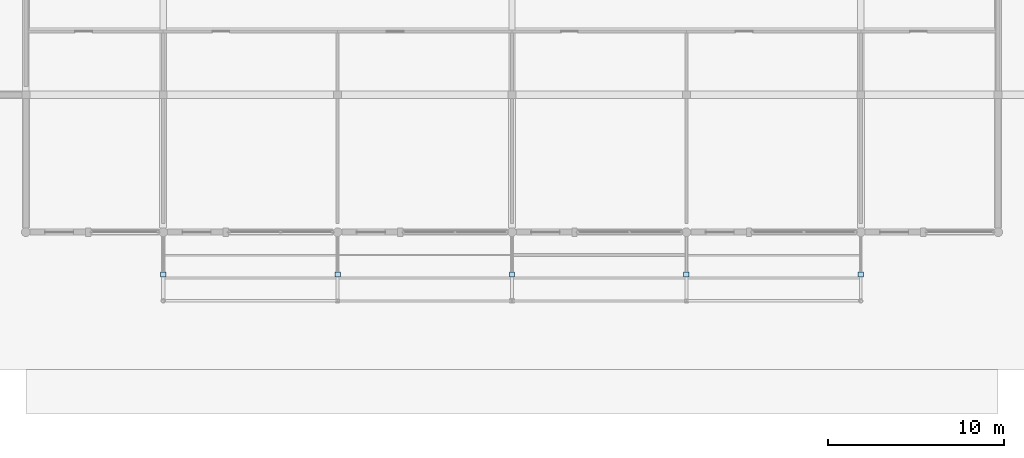
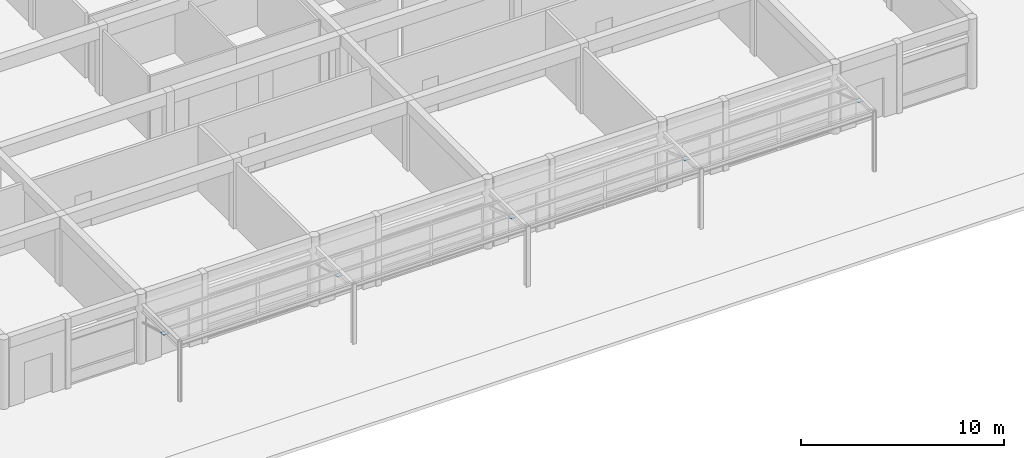
# One storey, part 47 of 75: 5 plates.
"""IFC4 building model written with IfcOpenShell, lengths in metres."""

from ifc_helpers import new_model, si_unit, direction, frame, origin, origin_2d, place, context, subcontext, project, spatial, rectangle, extrude, material, layer, layer_set, type_object, element, save


model = new_model("IFC4")

# Units and contexts
model_context = context("Model", 3, precision=1e-05, world=origin(), true_north=direction((0.0, 1.0)))
body_context = subcontext(model_context, "Body", "Model", "MODEL_VIEW")
ifc_project = project(units=[si_unit("LENGTHUNIT", "METRE"), si_unit("AREAUNIT", "SQUARE_METRE"), si_unit("VOLUMEUNIT", "CUBIC_METRE"), si_unit("PLANEANGLEUNIT", "RADIAN"), si_unit("MASSUNIT", "GRAM", prefix="KILO")], contexts=[model_context])

# Site, building, storey
site_placement = place(None, origin())
site = spatial("IfcSite", under=ifc_project, at=site_placement, CompositionType="ELEMENT")
building_placement = place(site_placement, origin())
building = spatial("IfcBuilding", under=site, at=building_placement, Name="Kernevlak Ridge Housing Community", CompositionType="ELEMENT")
storey_placement = place(building_placement, origin())
storey = spatial("IfcBuildingStorey", under=building, at=storey_placement, Name="L00", CompositionType="ELEMENT", Elevation=0.0)

# Plates
ifc_material = material(Name="Steel S355", Category="steel")
ifc_layer = layer(ifc_material, 0.01611328125, Name="Steel S355")
ifc_layer_set = layer_set([ifc_layer], Name="Steel S355")
plate_type = type_object("IfcPlateType", Name="GP-07", PredefinedType="USERDEFINED", material=ifc_layer_set)
for number, where, z_axis, x_axis, name in (
    (1, (64.199951171875, 5.39990234375, 3.154052734375), (0.0, 0.0, 1.0), (1.0, 0.0, 0.0), "Canopy tie strut ST-01 1 cap plate"),
    (2, (74.10009765625, 5.39990234375, 3.203857421875), (0.0, 0.0, 1.0), (1.0, 0.0, 0.0), "Canopy tie strut ST-02 2 cap plate"),
    (3, (84.0, 5.39990234375, 3.243896484375), (0.0, 0.0, 1.0), (1.0, 0.0, 0.0), "Canopy tie strut ST-03 3 cap plate"),
    (4, (93.89990234375, 5.39990234375, 3.27392578125), (0.0, 0.0, 1.0), (1.0, 0.0, 0.0), "Canopy tie strut ST-04 4 cap plate"),
    (5, (103.800048828125, 5.39990234375, 3.303955078125), (0.0, 0.0, 1.0), (1.0, 0.0, 0.0), "Canopy tie strut ST-01 5 cap plate"),
):
    element("IfcPlate", number, at=place(storey_placement, frame(where, z_axis=z_axis, x_axis=x_axis)), inside=storey, type_object=plate_type, Name=name, ObjectType="GUSSET_PLATE", PredefinedType="USERDEFINED", context=body_context, shape_type="SweptSolid", body=[
        extrude(rectangle(XDim=0.300048828125, YDim=0.300048828125, at=origin_2d()), origin(), (0.0, 0.0, 1.0), 0.01611328125),
    ])

save(model, "model.ifc")
